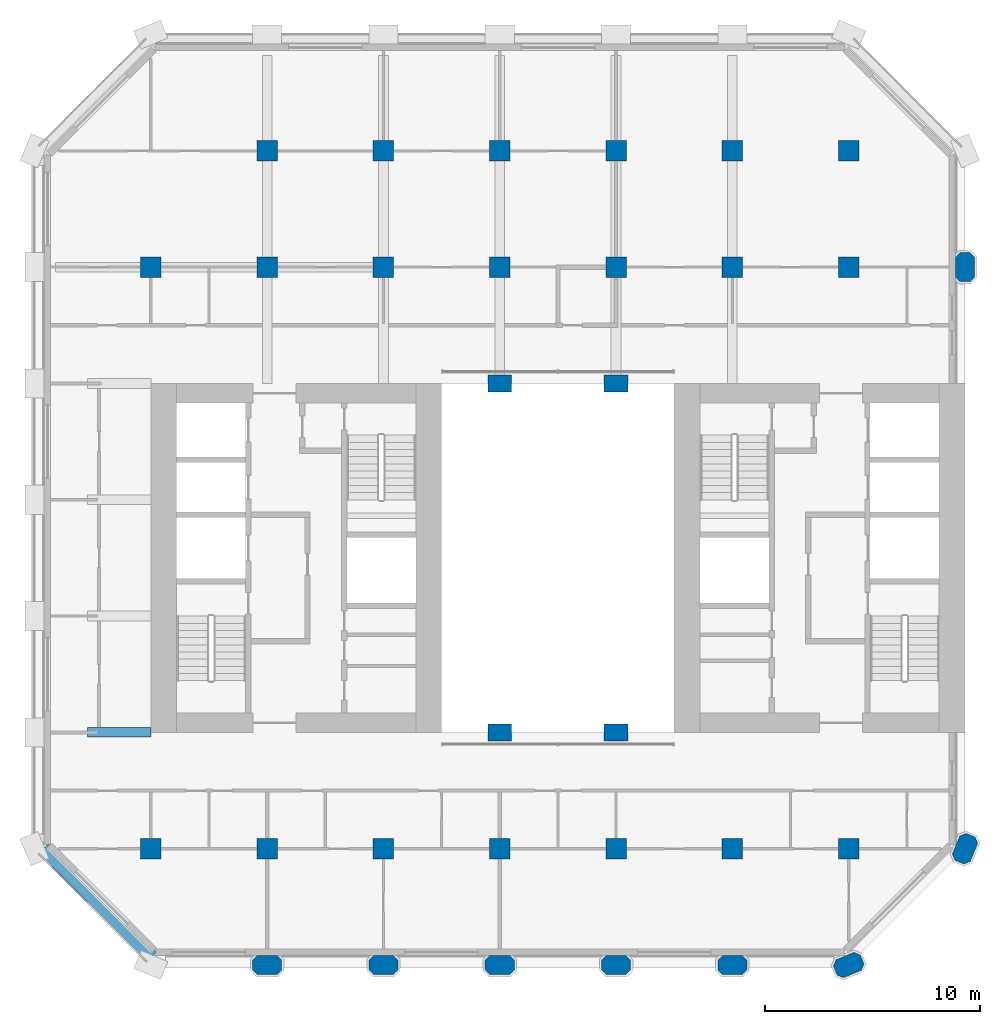
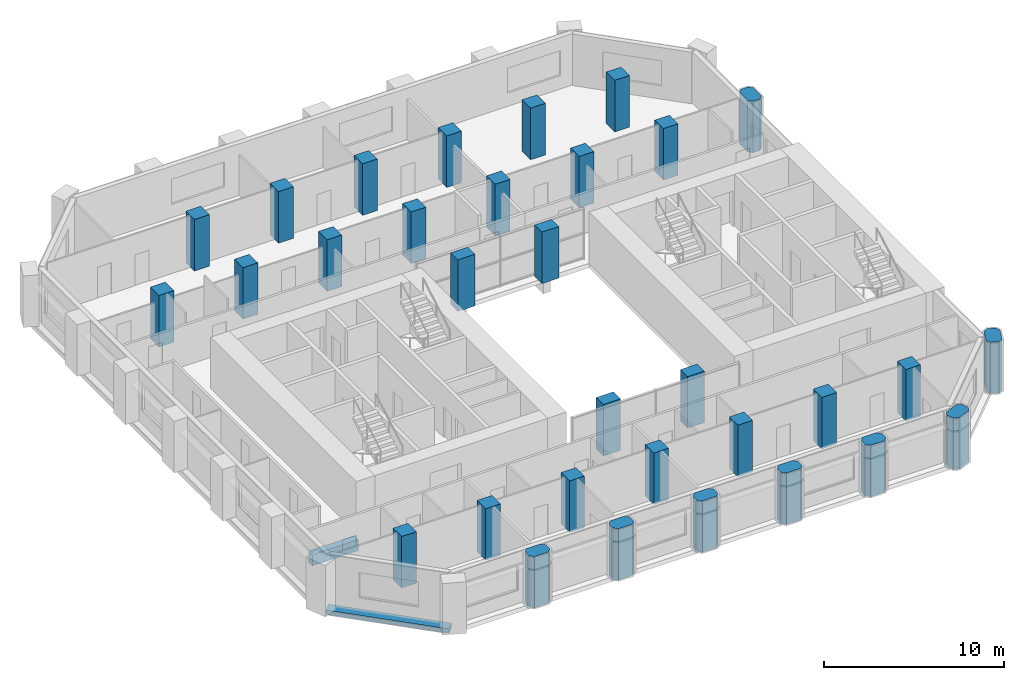
# One storey, part 1 of 13: 32 columns, 2 beams.
"""IFC4 building model written with IfcOpenShell, lengths in metres."""

from ifc_helpers import new_model, si_unit, direction, frame, origin, origin_2d, place, context, subcontext, project, spatial, polyline, rectangle, outline, extrude, material, material_profile, profile_set, type_object, element, save


model = new_model("IFC4")

# Units and contexts
model_context = context("Model", 3, precision=1e-05, world=origin(), true_north=direction((0.0, 1.0)))
body_context = subcontext(model_context, "Body", "Model", "MODEL_VIEW")
ifc_project = project(units=[si_unit("LENGTHUNIT", "METRE"), si_unit("AREAUNIT", "SQUARE_METRE"), si_unit("VOLUMEUNIT", "CUBIC_METRE"), si_unit("PLANEANGLEUNIT", "RADIAN"), si_unit("MASSUNIT", "GRAM", prefix="KILO")], contexts=[model_context])

# Site, building, storey
site_placement = place(None, origin())
site = spatial("IfcSite", under=ifc_project, at=site_placement, CompositionType="ELEMENT")
building_placement = place(site_placement, origin())
building = spatial("IfcBuilding", under=site, at=building_placement, Name="Tabaq Tower and Sports Hall", CompositionType="ELEMENT")
storey_placement = place(building_placement, frame((0.0, 0.0, 110.60009765625)))
storey = spatial("IfcBuildingStorey", under=building, at=storey_placement, Name="L26", CompositionType="ELEMENT", Elevation=110.60009765625)

# Columns
ifc_material_1 = material(Name="Concrete C60/75", Category="concrete")
ifc_material_profile_1 = material_profile(ifc_material_1, rectangle(XDim=1.10009765625, YDim=0.800048828125, at=origin_2d()), Name="ATRIUM COLUMN 1100x800")
ifc_profile_set_1 = profile_set([ifc_material_profile_1], Name="Concrete C60/75")
column_type_1 = type_object("IfcColumnType", Name="RC COLUMN ATRIUM COLUMN 1100x800 C60/75", PredefinedType="COLUMN", material=ifc_profile_set_1)
for number, where, z_axis, x_axis, name in (
    (1, (21.60009765625, 16.199951171875, 0.0), (0.0, 0.0, 1.0), (1.0, 0.0, 0.0), "Atrium Column 5/D L26"),
    (2, (27.0, 16.199951171875, 0.0), (0.0, 0.0, 1.0), (1.0, 0.0, 0.0), "Atrium Column 6/D L26"),
    (3, (21.60009765625, 32.39990234375, 0.0), (0.0, 0.0, 1.0), (1.0, 0.0, 0.0), "Atrium Column 5/G L26"),
    (4, (27.0, 32.39990234375, 0.0), (0.0, 0.0, 1.0), (1.0, 0.0, 0.0), "Atrium Column 6/G L26"),
):
    element("IfcColumn", number, at=place(storey_placement, frame(where, z_axis=z_axis, x_axis=x_axis)), inside=storey, type_object=column_type_1, Name=name, PredefinedType="COLUMN", context=body_context, shape_type="SweptSolid", body=[
        extrude(rectangle(XDim=1.10009765625, YDim=0.800048828125, at=origin_2d()), origin(), (0.0, 0.0, 1.0), 3.5),
    ])
ifc_material_2 = material(Name="Concrete C60/75", Category="concrete")
ifc_material_profile_2 = material_profile(ifc_material_2, rectangle(XDim=0.949951171875, YDim=0.949951171875, at=origin_2d()), Name="COLUMN 950x950")
ifc_profile_set_2 = profile_set([ifc_material_profile_2], Name="Concrete C60/75")
column_type_2 = type_object("IfcColumnType", Name="RC COLUMN COLUMN 950x950 C60/75", PredefinedType="COLUMN", material=ifc_profile_set_2)
for number, where, z_axis, x_axis, name in (
    (5, (5.39990234375, 10.800048828125, 0.0), (0.0, 0.0, 1.0), (1.0, 0.0, 0.0), "Column 2/C L26"),
    (6, (10.800048828125, 10.800048828125, 0.0), (0.0, 0.0, 1.0), (1.0, 0.0, 0.0), "Column 3/C L26"),
    (7, (16.199951171875, 10.800048828125, 0.0), (0.0, 0.0, 1.0), (1.0, 0.0, 0.0), "Column 4/C L26"),
    (8, (21.60009765625, 10.800048828125, 0.0), (0.0, 0.0, 1.0), (1.0, 0.0, 0.0), "Column 5/C L26"),
    (9, (27.0, 10.800048828125, 0.0), (0.0, 0.0, 1.0), (1.0, 0.0, 0.0), "Column 6/C L26"),
    (10, (32.39990234375, 10.800048828125, 0.0), (0.0, 0.0, 1.0), (1.0, 0.0, 0.0), "Column 7/C L26"),
    (11, (37.800048828125, 10.800048828125, 0.0), (0.0, 0.0, 1.0), (1.0, 0.0, 0.0), "Column 8/C L26"),
    (12, (5.39990234375, 37.800048828125, 0.0), (0.0, 0.0, 1.0), (1.0, 0.0, 0.0), "Column 2/H L26"),
    (13, (10.800048828125, 37.800048828125, 0.0), (0.0, 0.0, 1.0), (1.0, 0.0, 0.0), "Column 3/H L26"),
    (14, (16.199951171875, 37.800048828125, 0.0), (0.0, 0.0, 1.0), (1.0, 0.0, 0.0), "Column 4/H L26"),
    (15, (21.60009765625, 37.800048828125, 0.0), (0.0, 0.0, 1.0), (1.0, 0.0, 0.0), "Column 5/H L26"),
    (16, (27.0, 37.800048828125, 0.0), (0.0, 0.0, 1.0), (1.0, 0.0, 0.0), "Column 6/H L26"),
    (17, (32.39990234375, 37.800048828125, 0.0), (0.0, 0.0, 1.0), (1.0, 0.0, 0.0), "Column 7/H L26"),
    (18, (37.800048828125, 37.800048828125, 0.0), (0.0, 0.0, 1.0), (1.0, 0.0, 0.0), "Column 8/H L26"),
    (19, (10.800048828125, 43.199951171875, 0.0), (0.0, 0.0, 1.0), (1.0, 0.0, 0.0), "Column 3/I L26"),
    (20, (16.199951171875, 43.199951171875, 0.0), (0.0, 0.0, 1.0), (1.0, 0.0, 0.0), "Column 4/I L26"),
    (21, (21.60009765625, 43.199951171875, 0.0), (0.0, 0.0, 1.0), (1.0, 0.0, 0.0), "Column 5/I L26"),
    (22, (27.0, 43.199951171875, 0.0), (0.0, 0.0, 1.0), (1.0, 0.0, 0.0), "Column 6/I L26"),
    (23, (32.39990234375, 43.199951171875, 0.0), (0.0, 0.0, 1.0), (1.0, 0.0, 0.0), "Column 7/I L26"),
    (24, (37.800048828125, 43.199951171875, 0.0), (0.0, 0.0, 1.0), (1.0, 0.0, 0.0), "Column 8/I L26"),
):
    element("IfcColumn", number, at=place(storey_placement, frame(where, z_axis=z_axis, x_axis=x_axis)), inside=storey, type_object=column_type_2, Name=name, PredefinedType="COLUMN", context=body_context, shape_type="SweptSolid", body=[
        extrude(rectangle(XDim=0.949951171875, YDim=0.949951171875, at=origin_2d()), origin(), (0.0, 0.0, 1.0), 3.5),
    ])
ifc_material_3 = material(Name="Concrete C60/75", Category="concrete")
ifc_material_profile_3 = material_profile(ifc_material_3, outline(polyline([(-0.449951171875, -0.449951171875), (0.449951171875, -0.449951171875), (0.675048828125, -0.22509765625), (0.675048828125, 0.22509765625), (0.449951171875, 0.449951171875), (-0.449951171875, 0.449951171875), (-0.675048828125, 0.22509765625), (-0.675048828125, -0.22509765625), (-0.449951171875, -0.449951171875)])), Name="PIER 1350x900")
ifc_profile_set_3 = profile_set([ifc_material_profile_3], Name="Concrete C60/75")
column_type_3 = type_object("IfcColumnType", Name="RC COLUMN PIER 1350x900 C60/75", PredefinedType="COLUMN", material=ifc_profile_set_3)
for number, where, z_axis, x_axis, name in (
    (25, (10.800048828125, 5.39990234375, 0.0), (0.0, 0.0, 1.0), (1.0, 0.0, 0.0), "Pier 3/B L26"),
    (26, (16.199951171875, 5.39990234375, 0.0), (0.0, 0.0, 1.0), (1.0, 0.0, 0.0), "Pier 4/B L26"),
    (27, (21.60009765625, 5.39990234375, 0.0), (0.0, 0.0, 1.0), (1.0, 0.0, 0.0), "Pier 5/B L26"),
    (28, (27.0, 5.39990234375, 0.0), (0.0, 0.0, 1.0), (1.0, 0.0, 0.0), "Pier 6/B L26"),
    (29, (32.39990234375, 5.39990234375, 0.0), (0.0, 0.0, 1.0), (1.0, 0.0, 0.0), "Pier 7/B L26"),
    (30, (37.800048828125, 5.39990234375, 0.0), (0.0, 0.0, 1.0), (0.923879532511, 0.382683432365, 0.0), "Pier 8/B L26"),
    (31, (43.199951171875, 10.800048828125, 0.0), (0.0, 0.0, 1.0), (0.382683432365, 0.923879532511, 0.0), "Pier 9/C L26"),
    (32, (43.199951171875, 37.800048828125, 0.0), (0.0, 0.0, 1.0), (0.0, 1.0, 0.0), "Pier 9/H L26"),
):
    element("IfcColumn", number, at=place(storey_placement, frame(where, z_axis=z_axis, x_axis=x_axis)), inside=storey, type_object=column_type_3, Name=name, PredefinedType="COLUMN", context=body_context, shape_type="SweptSolid", body=[
        extrude(outline(polyline([(-0.449951171875, -0.449951171875), (0.449951171875, -0.449951171875), (0.675048828125, -0.22509765625), (0.675048828125, 0.22509765625), (0.449951171875, 0.449951171875), (-0.449951171875, 0.449951171875), (-0.675048828125, 0.22509765625), (-0.675048828125, -0.22509765625), (-0.449951171875, -0.449951171875)])), origin(), (0.0, 0.0, 1.0), 3.5),
    ])

# Beams
ifc_material_4 = material(Name="Concrete C40/50", Category="concrete")
ifc_material_profile_4 = material_profile(ifc_material_4, rectangle(XDim=0.449951171875, YDim=0.75, at=origin_2d()), Name="CB 450x750")
ifc_profile_set_4 = profile_set([ifc_material_profile_4], Name="Concrete C40/50")
beam_type_1 = type_object("IfcBeamType", Name="PT CANTILEVER BEAM CB 450x750 C40/50", PredefinedType="BEAM", material=ifc_profile_set_4)
beam_1_placement = place(storey_placement, frame((2.449951171875, 16.199951171875, -0.675048828125), z_axis=(1.0, 0.0, 0.0), x_axis=(0.0, 1.0, 0.0)))
element("IfcBeam", 33, at=beam_1_placement, inside=storey, type_object=beam_type_1, Name="Cantilever Beam L26 W3 span 1", PredefinedType="BEAM", context=body_context, shape_type="SweptSolid", body=[
    extrude(rectangle(XDim=0.449951171875, YDim=0.75, at=origin_2d()), origin(), (0.0, 0.0, 1.0), 2.949951171875),
])
ifc_material_5 = material(Name="Concrete C40/50", Category="concrete")
ifc_material_profile_5 = material_profile(ifc_material_5, rectangle(XDim=0.60009765625, YDim=0.300048828125, at=origin_2d()), Name="EB 600x300")
ifc_profile_set_5 = profile_set([ifc_material_profile_5], Name="Concrete C40/50")
beam_type_2 = type_object("IfcBeamType", Name="PT EDGE BEAM EB 600x300 C40/50", PredefinedType="SPANDREL", material=ifc_profile_set_5)
beam_2_placement = place(storey_placement, frame((0.42333984375, 10.801025390625, -0.150146484375), z_axis=(0.707089559252, -0.707124002701, 0.0), x_axis=(0.707124002701, 0.707089559252, 0.0)))
element("IfcBeam", 34, at=beam_2_placement, inside=storey, type_object=beam_type_2, Name="Edge Beam L26 5", PredefinedType="SPANDREL", context=body_context, shape_type="SweptSolid", body=[
    extrude(rectangle(XDim=0.60009765625, YDim=0.300048828125, at=origin_2d()), origin(), (0.0, 0.0, 1.0), 7.088134765625),
])

save(model, "model.ifc")
